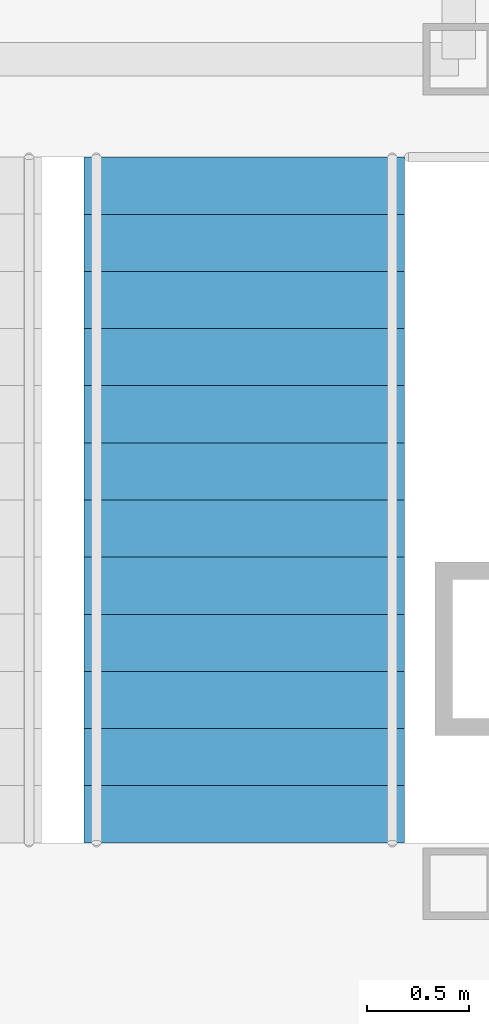
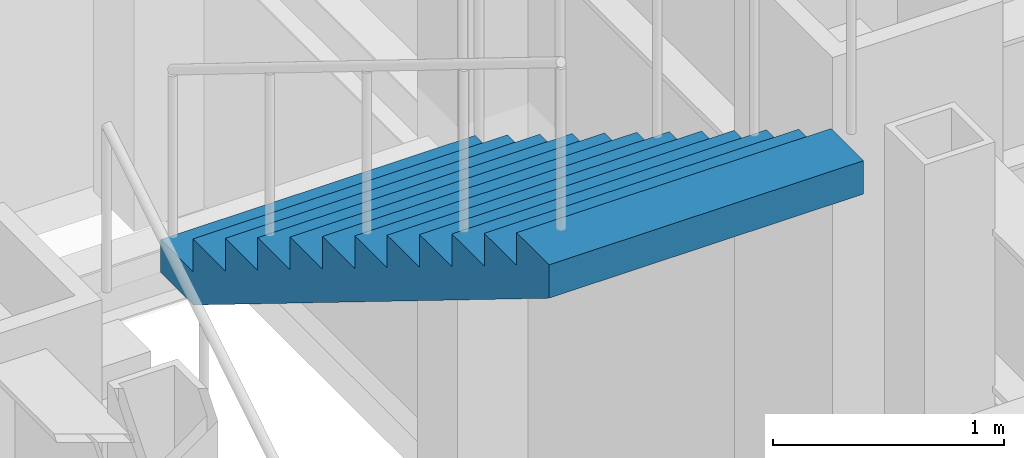
# One storey, part 13 of 16: 1 stair flight, 1 element without a shape of its own.
"""IFC4 building model written with IfcOpenShell, lengths in metres."""

from ifc_helpers import new_model, si_unit, direction, frame, origin, place, context, subcontext, project, spatial, faceted_brep, material, type_object, element, aggregate, save


model = new_model("IFC4")

# Units and contexts
model_context = context("Model", 3, precision=1e-05, world=origin(), true_north=direction((0.0, 1.0)))
body_context = subcontext(model_context, "Body", "Model", "MODEL_VIEW")
ifc_project = project(units=[si_unit("LENGTHUNIT", "METRE"), si_unit("AREAUNIT", "SQUARE_METRE"), si_unit("VOLUMEUNIT", "CUBIC_METRE"), si_unit("PLANEANGLEUNIT", "RADIAN"), si_unit("MASSUNIT", "GRAM", prefix="KILO")], contexts=[model_context])

# Site, building, storey
site_placement = place(None, origin())
site = spatial("IfcSite", under=ifc_project, at=site_placement, CompositionType="ELEMENT")
building_placement = place(site_placement, origin())
building = spatial("IfcBuilding", under=site, at=building_placement, Name="Chuquiago Exchange Tower", CompositionType="ELEMENT")
storey_placement = place(building_placement, frame((0.0, 0.0, 60.300048828125)))
storey = spatial("IfcBuildingStorey", under=building, at=storey_placement, Name="L12", CompositionType="ELEMENT", Elevation=60.300048828125)

# Stair, stair flight
ifc_material_1 = material(Name="Concrete C30/37, precast", Category="concrete")
stair_type = type_object("IfcStairType", Name="ST2 half-turn stair 4500", PredefinedType="HALF_TURN_STAIR", material=ifc_material_1)
stair_placement = place(storey_placement, origin())
stair = element("IfcStair", 1, at=stair_placement, inside=storey, type_object=stair_type, Name="Stair ST2 L12", PredefinedType="HALF_TURN_STAIR")
ifc_material_2 = material(Name="Concrete C30/37, precast", Category="concrete")
stair_flight_type = type_object("IfcStairFlightType", Name="ST-F flight 1570 for 4500 storey", PredefinedType="STRAIGHT", material=ifc_material_2)
stair_flight_placement = place(storey_placement, frame((31.639892578125, 26.409912109375, 2.25), z_axis=(0.0, 0.0, 1.0), x_axis=(0.0, -1.0, 0.0)))
stair_flight = element("IfcStairFlight", 2, at=stair_flight_placement, type_object=stair_flight_type, Name="ST2 flight 2", NumberOfRisers=13, NumberOfTreads=12, PredefinedType="STRAIGHT", RiserHeight=0.173076923, TreadLength=0.28, context=body_context, shape_type="Brep", body=[
    faceted_brep([(0.0, 0.78515625, 0.0), (0.0, 0.78515625, 0.173095703125), (0.280029296875, 0.78515625, 0.173095703125), (0.280029296875, 0.78515625, 0.34619140625), (0.56005859375, 0.78515625, 0.34619140625), (0.56005859375, 0.78515625, 0.519287109375), (0.840087890625, 0.78515625, 0.519287109375), (0.840087890625, 0.78515625, 0.6923828125), (1.1201171875, 0.78515625, 0.6923828125), (1.1201171875, 0.78515625, 0.865478515625), (1.39990234375, 0.78515625, 0.865478515625), (1.39990234375, 0.78515625, 1.03857421875), (1.679931640625, 0.78515625, 1.03857421875), (1.679931640625, 0.78515625, 1.21142578125), (1.9599609375, 0.78515625, 1.21142578125), (1.9599609375, 0.78515625, 1.384521484375), (2.239990234375, 0.78515625, 1.384521484375), (2.239990234375, 0.78515625, 1.5576171875), (2.52001953125, 0.78515625, 1.5576171875), (2.52001953125, 0.78515625, 1.730712890625), (2.800048828125, 0.78515625, 1.730712890625), (2.800048828125, 0.78515625, 1.90380859375), (3.080078125, 0.78515625, 1.90380859375), (3.080078125, 0.78515625, 2.076904296875), (3.360107421875, 0.78515625, 2.076904296875), (3.360107421875, 0.78515625, 1.900634765625), (0.28515625, 0.78515625, 0.0), (0.28515625, -0.78515625, 0.0), (3.360107421875, -0.78515625, 1.900634765625), (3.360107421875, -0.78515625, 2.076904296875), (3.080078125, -0.78515625, 2.076904296875), (3.080078125, -0.78515625, 1.90380859375), (2.800048828125, -0.78515625, 1.90380859375), (2.800048828125, -0.78515625, 1.730712890625), (2.52001953125, -0.78515625, 1.730712890625), (2.52001953125, -0.78515625, 1.5576171875), (2.239990234375, -0.78515625, 1.5576171875), (2.239990234375, -0.78515625, 1.384521484375), (1.9599609375, -0.78515625, 1.384521484375), (1.9599609375, -0.78515625, 1.21142578125), (1.679931640625, -0.78515625, 1.21142578125), (1.679931640625, -0.78515625, 1.03857421875), (1.39990234375, -0.78515625, 1.03857421875), (1.39990234375, -0.78515625, 0.865478515625), (1.1201171875, -0.78515625, 0.865478515625), (1.1201171875, -0.78515625, 0.6923828125), (0.840087890625, -0.78515625, 0.6923828125), (0.840087890625, -0.78515625, 0.519287109375), (0.56005859375, -0.78515625, 0.519287109375), (0.56005859375, -0.78515625, 0.34619140625), (0.280029296875, -0.78515625, 0.34619140625), (0.280029296875, -0.78515625, 0.173095703125), (0.0, -0.78515625, 0.173095703125), (0.0, -0.78515625, 0.0), (0.0, 0.392578125, 0.0), (0.0, 0.392578125, 0.173095703125), (0.0, 0.0, 0.0), (0.0, 0.0, 0.173095703125), (0.0, -0.392578125, 0.0), (0.0, -0.392578125, 0.173095703125), (0.280029296875, 0.392578125, 0.173095703125), (0.280029296875, 0.0, 0.173095703125), (0.280029296875, -0.392578125, 0.173095703125), (0.280029296875, 0.392578125, 0.34619140625), (0.280029296875, 0.0, 0.34619140625), (0.280029296875, -0.392578125, 0.34619140625), (0.56005859375, 0.392578125, 0.34619140625), (0.56005859375, 0.0, 0.34619140625), (0.56005859375, -0.392578125, 0.34619140625), (0.56005859375, 0.392578125, 0.519287109375), (0.56005859375, 0.0, 0.519287109375), (0.56005859375, -0.392578125, 0.519287109375), (0.840087890625, 0.392578125, 0.519287109375), (0.840087890625, 0.0, 0.519287109375), (0.840087890625, -0.392578125, 0.519287109375), (0.840087890625, 0.392578125, 0.6923828125), (0.840087890625, 0.0, 0.6923828125), (0.840087890625, -0.392578125, 0.6923828125), (1.1201171875, 0.392578125, 0.6923828125), (1.1201171875, 0.0, 0.6923828125), (1.1201171875, -0.392578125, 0.6923828125), (1.1201171875, 0.392578125, 0.865478515625), (1.1201171875, 0.0, 0.865478515625), (1.1201171875, -0.392578125, 0.865478515625), (1.39990234375, 0.392578125, 0.865478515625), (1.39990234375, 0.0, 0.865478515625), (1.39990234375, -0.392578125, 0.865478515625), (1.39990234375, 0.392578125, 1.03857421875), (1.39990234375, 0.0, 1.03857421875), (1.39990234375, -0.392578125, 1.03857421875), (1.679931640625, 0.392578125, 1.03857421875), (1.679931640625, 0.0, 1.03857421875), (1.679931640625, -0.392578125, 1.03857421875), (1.679931640625, 0.392578125, 1.21142578125), (1.679931640625, 0.0, 1.21142578125), (1.679931640625, -0.392578125, 1.21142578125), (1.9599609375, 0.392578125, 1.21142578125), (1.9599609375, 0.0, 1.21142578125), (1.9599609375, -0.392578125, 1.21142578125), (1.9599609375, 0.392578125, 1.384521484375), (1.9599609375, 0.0, 1.384521484375), (1.9599609375, -0.392578125, 1.384521484375), (2.239990234375, 0.392578125, 1.384521484375), (2.239990234375, 0.0, 1.384521484375), (2.239990234375, -0.392578125, 1.384521484375), (2.239990234375, 0.392578125, 1.5576171875), (2.239990234375, 0.0, 1.5576171875), (2.239990234375, -0.392578125, 1.5576171875), (2.52001953125, 0.392578125, 1.5576171875), (2.52001953125, 0.0, 1.5576171875), (2.52001953125, -0.392578125, 1.5576171875), (2.52001953125, 0.392578125, 1.730712890625), (2.52001953125, 0.0, 1.730712890625), (2.52001953125, -0.392578125, 1.730712890625), (2.800048828125, 0.392578125, 1.730712890625), (2.800048828125, 0.0, 1.730712890625), (2.800048828125, -0.392578125, 1.730712890625), (2.800048828125, 0.392578125, 1.90380859375), (2.800048828125, 0.0, 1.90380859375), (2.800048828125, -0.392578125, 1.90380859375), (3.080078125, 0.392578125, 1.90380859375), (3.080078125, 0.0, 1.90380859375), (3.080078125, -0.392578125, 1.90380859375), (3.080078125, 0.392578125, 2.076904296875), (3.080078125, 0.0, 2.076904296875), (3.080078125, -0.392578125, 2.076904296875), (3.360107421875, 0.392578125, 2.076904296875), (3.360107421875, 0.0, 2.076904296875), (3.360107421875, -0.392578125, 2.076904296875), (3.360107421875, 0.392578125, 1.900634765625), (3.360107421875, 0.0, 1.900634765625), (3.360107421875, -0.392578125, 1.900634765625), (0.28515625, 0.392578125, 0.0), (0.28515625, 0.0, 0.0), (0.28515625, -0.392578125, 0.0)], [[[0, 1, 2, 3, 4, 5, 6, 7, 8, 9, 10, 11, 12, 13, 14, 15, 16, 17, 18, 19, 20, 21, 22, 23, 24, 25, 26]], [[27, 28, 29, 30, 31, 32, 33, 34, 35, 36, 37, 38, 39, 40, 41, 42, 43, 44, 45, 46, 47, 48, 49, 50, 51, 52, 53]], [[1, 0, 54, 55]], [[55, 54, 56, 57]], [[57, 56, 58, 59]], [[59, 58, 53, 52]], [[2, 1, 55, 60]], [[60, 55, 57, 61]], [[61, 57, 59, 62]], [[62, 59, 52, 51]], [[3, 2, 60, 63]], [[63, 60, 61, 64]], [[64, 61, 62, 65]], [[65, 62, 51, 50]], [[4, 3, 63, 66]], [[66, 63, 64, 67]], [[67, 64, 65, 68]], [[68, 65, 50, 49]], [[5, 4, 66, 69]], [[69, 66, 67, 70]], [[70, 67, 68, 71]], [[71, 68, 49, 48]], [[6, 5, 69, 72]], [[72, 69, 70, 73]], [[73, 70, 71, 74]], [[74, 71, 48, 47]], [[7, 6, 72, 75]], [[75, 72, 73, 76]], [[76, 73, 74, 77]], [[77, 74, 47, 46]], [[8, 7, 75, 78]], [[78, 75, 76, 79]], [[79, 76, 77, 80]], [[80, 77, 46, 45]], [[9, 8, 78, 81]], [[81, 78, 79, 82]], [[82, 79, 80, 83]], [[83, 80, 45, 44]], [[10, 9, 81, 84]], [[84, 81, 82, 85]], [[85, 82, 83, 86]], [[86, 83, 44, 43]], [[11, 10, 84, 87]], [[87, 84, 85, 88]], [[88, 85, 86, 89]], [[89, 86, 43, 42]], [[12, 11, 87, 90]], [[90, 87, 88, 91]], [[91, 88, 89, 92]], [[92, 89, 42, 41]], [[13, 12, 90, 93]], [[93, 90, 91, 94]], [[94, 91, 92, 95]], [[95, 92, 41, 40]], [[14, 13, 93, 96]], [[96, 93, 94, 97]], [[97, 94, 95, 98]], [[98, 95, 40, 39]], [[15, 14, 96, 99]], [[99, 96, 97, 100]], [[100, 97, 98, 101]], [[101, 98, 39, 38]], [[16, 15, 99, 102]], [[102, 99, 100, 103]], [[103, 100, 101, 104]], [[104, 101, 38, 37]], [[17, 16, 102, 105]], [[105, 102, 103, 106]], [[106, 103, 104, 107]], [[107, 104, 37, 36]], [[18, 17, 105, 108]], [[108, 105, 106, 109]], [[109, 106, 107, 110]], [[110, 107, 36, 35]], [[19, 18, 108, 111]], [[111, 108, 109, 112]], [[112, 109, 110, 113]], [[113, 110, 35, 34]], [[20, 19, 111, 114]], [[114, 111, 112, 115]], [[115, 112, 113, 116]], [[116, 113, 34, 33]], [[21, 20, 114, 117]], [[117, 114, 115, 118]], [[118, 115, 116, 119]], [[119, 116, 33, 32]], [[22, 21, 117, 120]], [[120, 117, 118, 121]], [[121, 118, 119, 122]], [[122, 119, 32, 31]], [[23, 22, 120, 123]], [[123, 120, 121, 124]], [[124, 121, 122, 125]], [[125, 122, 31, 30]], [[24, 23, 123, 126]], [[126, 123, 124, 127]], [[127, 124, 125, 128]], [[128, 125, 30, 29]], [[25, 24, 126, 129]], [[129, 126, 127, 130]], [[130, 127, 128, 131]], [[131, 128, 29, 28]], [[26, 25, 129, 132]], [[132, 129, 130, 133]], [[133, 130, 131, 134]], [[134, 131, 28, 27]], [[0, 26, 132, 54]], [[54, 132, 133, 56]], [[56, 133, 134, 58]], [[58, 134, 27, 53]]]),
])
aggregate(stair, [stair_flight])

save(model, "model.ifc")
